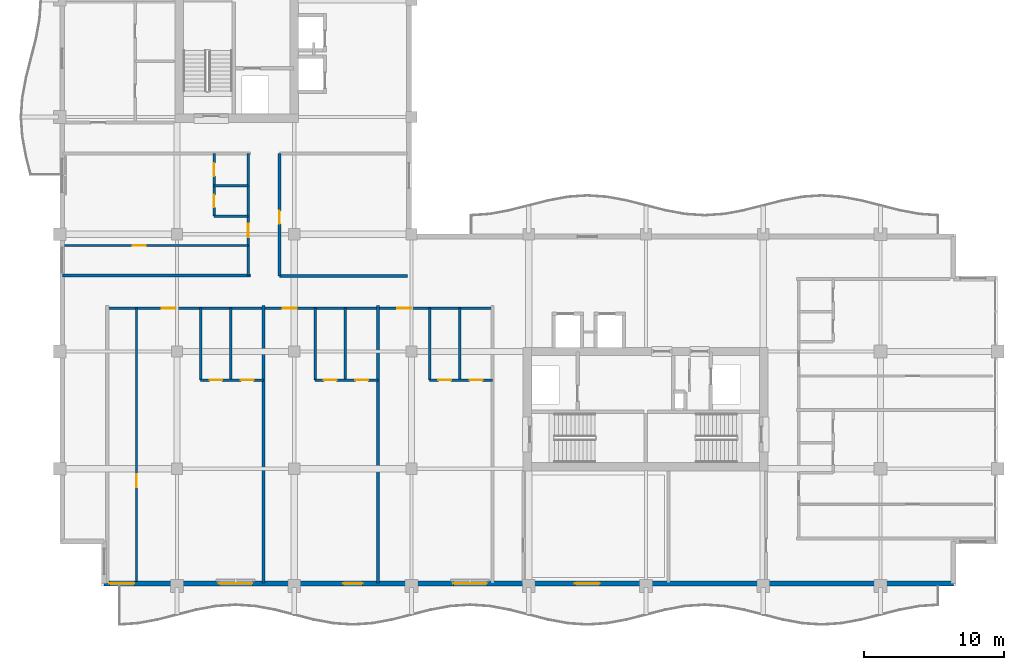
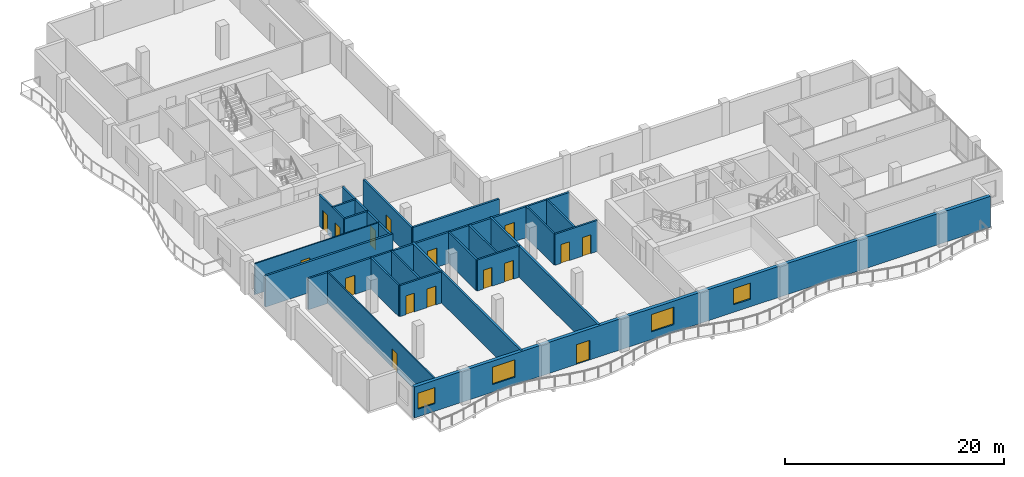
# One storey, part 6 of 16: 22 walls, 16 doors, 4 windows, 20 openings.
"""IFC4 building model written with IfcOpenShell, lengths in metres."""

from ifc_helpers import new_model, si_unit, direction, frame, frame_2d, origin, place, context, subcontext, project, spatial, rectangle, extrude, material, layer, layer_set, type_object, element, fill, save


model = new_model("IFC4")

# Units and contexts
model_context = context("Model", 3, precision=1e-05, world=origin(), true_north=direction((0.0, 1.0)))
body_context = subcontext(model_context, "Body", "Model", "MODEL_VIEW")
ifc_project = project(units=[si_unit("LENGTHUNIT", "METRE"), si_unit("AREAUNIT", "SQUARE_METRE"), si_unit("VOLUMEUNIT", "CUBIC_METRE"), si_unit("PLANEANGLEUNIT", "RADIAN"), si_unit("MASSUNIT", "GRAM", prefix="KILO")], contexts=[model_context])

# Site, building, storey
site_placement = place(None, origin())
site = spatial("IfcSite", under=ifc_project, at=site_placement, CompositionType="ELEMENT")
building_placement = place(site_placement, origin())
building = spatial("IfcBuilding", under=site, at=building_placement, Name="Koriwani Terraces Tower", CompositionType="ELEMENT")
storey_placement = place(building_placement, frame((0.0, 0.0, 245.300048828125)))
storey = spatial("IfcBuildingStorey", under=building, at=storey_placement, Name="L60", CompositionType="ELEMENT", Elevation=245.300048828125)

# Wall, opening, door
ifc_material_1 = material(Name="Autoclaved Cellular Concrete Blockwork", Category="masonry")
ifc_layer_1 = layer(ifc_material_1, 0.199951171875, Name="Autoclaved Cellular Concrete Blockwork")
ifc_layer_set_1 = layer_set([ifc_layer_1], Name="Autoclaved Cellular Concrete Blockwork")
wall_type_1 = type_object("IfcWallType", Name="WALL_CORRIDOR_200", PredefinedType="PARTITIONING", material=ifc_layer_set_1)
wall_1_placement = place(storey_placement, frame((24.14990234375, 30.60009765625, 0.0), z_axis=(0.0, 0.0, 1.0), x_axis=(0.0, 1.0, 0.0)))
wall_1 = element("IfcWall", 1, at=wall_1_placement, inside=storey, type_object=wall_type_1, Name="L60 Interior Wall WIC4W-L60", PredefinedType="PARTITIONING", context=body_context, shape_type="SweptSolid", body=[
    extrude(rectangle(XDim=8.7998046875, YDim=0.199951171875, at=frame_2d((4.39990234375, 0.0))), origin(), (0.0, 0.0, 1.0), 3.469970703125),
])
opening_1_placement = place(wall_1_placement, frame((3.75, 0.0, 0.0)))
opening_1 = element("IfcOpeningElement", 2, at=opening_1_placement, cuts=wall_1, Name="Opening D-06", PredefinedType="OPENING", context=body_context, shape_type="SweptSolid", body=[
    extrude(rectangle(XDim=0.919921875, YDim=2.10009765625, at=frame_2d((0.4599609375, 1.050048828125))), frame((0.0, 0.10986328125, 0.0), z_axis=(0.0, -1.0, 0.0), x_axis=(1.0, 0.0, 0.0)), (0.0, 0.0, 1.0), 0.219970703125),
])
ifc_material_2 = material(Name="Architectural Oak Fire Door", Category="wood")
door_type_1 = type_object("IfcDoorType", Name="DOOR_ROOM_INT_920X2100", OperationType="NOTDEFINED", PredefinedType="DOOR", material=ifc_material_2)
door_1_placement = place(opening_1_placement, origin())
door_1 = element("IfcDoor", 3, at=door_1_placement, inside=storey, type_object=door_type_1, Name="L60 High-Rise Court Study Door", OperationType="SINGLE_SWING_RIGHT", OverallHeight=2.10009765625, OverallWidth=0.919921875, PredefinedType="DOOR", context=body_context, shape_type="SweptSolid", body=[
    extrude(rectangle(XDim=0.919921875, YDim=2.10009765625, at=frame_2d((0.4599609375, 1.050048828125))), frame((0.0, 0.02490234375, 0.0), z_axis=(0.0, -1.0, 0.0), x_axis=(1.0, 0.0, 0.0)), (0.0, 0.0, 1.0), 0.050048828125),
])
fill(opening_1, door_1)

# Wall, openings, doors
wall_2_placement = place(storey_placement, frame((11.800048828125, 28.300048828125, 0.0), z_axis=(0.0, 0.0, 1.0), x_axis=(1.0, 0.0, 0.0)))
wall_2 = element("IfcWall", 4, at=wall_2_placement, inside=storey, type_object=wall_type_1, Name="L60 Interior Wall WRCOR-L60-SW-0", PredefinedType="PARTITIONING", context=body_context, shape_type="SweptSolid", body=[
    extrude(rectangle(XDim=27.599853515625, YDim=0.199951171875, at=frame_2d((13.7998046875, 0.0))), origin(), (0.0, 0.0, 1.0), 3.469970703125),
])
opening_2_placement = place(wall_2_placement, frame((3.919921875, 0.0, 0.0)))
opening_2 = element("IfcOpeningElement", 5, at=opening_2_placement, cuts=wall_2, Name="Opening D-05", PredefinedType="OPENING", context=body_context, shape_type="SweptSolid", body=[
    extrude(rectangle(XDim=1.0, YDim=2.14990234375, at=frame_2d((0.5, 1.074951171875))), frame((0.0, 0.10986328125, 0.0), z_axis=(0.0, -1.0, 0.0), x_axis=(1.0, 0.0, 0.0)), (0.0, 0.0, 1.0), 0.219970703125),
])
opening_3_placement = place(wall_2_placement, frame((12.570068359375, 0.0, 0.0)))
opening_3 = element("IfcOpeningElement", 6, at=opening_3_placement, cuts=wall_2, Name="Opening D-05", PredefinedType="OPENING", context=body_context, shape_type="SweptSolid", body=[
    extrude(rectangle(XDim=1.0, YDim=2.14990234375, at=frame_2d((0.5, 1.074951171875))), frame((0.0, 0.10986328125, 0.0), z_axis=(0.0, -1.0, 0.0), x_axis=(1.0, 0.0, 0.0)), (0.0, 0.0, 1.0), 0.219970703125),
])
opening_4_placement = place(wall_2_placement, frame((20.77001953125, 0.0, 0.0)))
opening_4 = element("IfcOpeningElement", 7, at=opening_4_placement, cuts=wall_2, Name="Opening D-05", PredefinedType="OPENING", context=body_context, shape_type="SweptSolid", body=[
    extrude(rectangle(XDim=1.0, YDim=2.14990234375, at=frame_2d((0.5, 1.074951171875))), frame((0.0, 0.10986328125, 0.0), z_axis=(0.0, -1.0, 0.0), x_axis=(1.0, 0.0, 0.0)), (0.0, 0.0, 1.0), 0.219970703125),
])
door_type_2 = type_object("IfcDoorType", Name="DOOR_SUITE_ENTRY_1000X2150", OperationType="NOTDEFINED", PredefinedType="DOOR", material=ifc_material_2)
door_2_placement = place(opening_2_placement, origin())
door_2 = element("IfcDoor", 8, at=door_2_placement, inside=storey, type_object=door_type_2, Name="Apartment 60SW1 Entrance Door", OperationType="SINGLE_SWING_LEFT", OverallHeight=2.14990234375, OverallWidth=1.0, PredefinedType="DOOR", context=body_context, shape_type="SweptSolid", body=[
    extrude(rectangle(XDim=1.0, YDim=2.14990234375, at=frame_2d((0.5, 1.074951171875))), frame((0.0, 0.02490234375, 0.0), z_axis=(0.0, -1.0, 0.0), x_axis=(1.0, 0.0, 0.0)), (0.0, 0.0, 1.0), 0.050048828125),
])
fill(opening_2, door_2)
door_3_placement = place(opening_3_placement, origin())
door_3 = element("IfcDoor", 9, at=door_3_placement, inside=storey, type_object=door_type_2, Name="Apartment 60SW2 Entrance Door", OperationType="SINGLE_SWING_LEFT", OverallHeight=2.14990234375, OverallWidth=1.0, PredefinedType="DOOR", context=body_context, shape_type="SweptSolid", body=[
    extrude(rectangle(XDim=1.0, YDim=2.14990234375, at=frame_2d((0.5, 1.074951171875))), frame((0.0, 0.02490234375, 0.0), z_axis=(0.0, -1.0, 0.0), x_axis=(1.0, 0.0, 0.0)), (0.0, 0.0, 1.0), 0.050048828125),
])
fill(opening_3, door_3)
door_4_placement = place(opening_4_placement, origin())
door_4 = element("IfcDoor", 10, at=door_4_placement, inside=storey, type_object=door_type_2, Name="Apartment 60SW3 Entrance Door", OperationType="SINGLE_SWING_RIGHT", OverallHeight=2.14990234375, OverallWidth=1.0, PredefinedType="DOOR", context=body_context, shape_type="SweptSolid", body=[
    extrude(rectangle(XDim=1.0, YDim=2.14990234375, at=frame_2d((0.5, 1.074951171875))), frame((0.0, 0.02490234375, 0.0), z_axis=(0.0, -1.0, 0.0), x_axis=(1.0, 0.0, 0.0)), (0.0, 0.0, 1.0), 0.050048828125),
])
fill(opening_4, door_4)

# Wall, opening, door
wall_3_placement = place(storey_placement, frame((21.89990234375, 30.64990234375, 0.0), z_axis=(0.0, 0.0, 1.0), x_axis=(0.0, 1.0, 0.0)))
wall_3 = element("IfcWall", 11, at=wall_3_placement, inside=storey, type_object=wall_type_1, Name="L60 Interior Wall WRCOR-L60-NE-0", PredefinedType="PARTITIONING", context=body_context, shape_type="SweptSolid", body=[
    extrude(rectangle(XDim=8.75, YDim=0.199951171875, at=frame_2d((4.375, 0.0))), origin(), (0.0, 0.0, 1.0), 3.469970703125),
])
opening_5_placement = place(wall_3_placement, frame((2.719970703125, 0.0, 0.0)))
opening_5 = element("IfcOpeningElement", 12, at=opening_5_placement, cuts=wall_3, Name="Opening D-05", PredefinedType="OPENING", context=body_context, shape_type="SweptSolid", body=[
    extrude(rectangle(XDim=1.0, YDim=2.14990234375, at=frame_2d((0.5, 1.074951171875))), frame((0.0, 0.10986328125, 0.0), z_axis=(0.0, -1.0, 0.0), x_axis=(1.0, 0.0, 0.0)), (0.0, 0.0, 1.0), 0.219970703125),
])
door_5_placement = place(opening_5_placement, origin())
door_5 = element("IfcDoor", 13, at=door_5_placement, inside=storey, type_object=door_type_2, Name="Apartment 60NE1 Entrance Door", OperationType="SINGLE_SWING_LEFT", OverallHeight=2.14990234375, OverallWidth=1.0, PredefinedType="DOOR", context=body_context, shape_type="SweptSolid", body=[
    extrude(rectangle(XDim=1.0, YDim=2.14990234375, at=frame_2d((0.5, 1.074951171875))), frame((0.0, 0.02490234375, 0.0), z_axis=(0.0, -1.0, 0.0), x_axis=(1.0, 0.0, 0.0)), (0.0, 0.0, 1.0), 0.050048828125),
])
fill(opening_5, door_5)

# Walls
ifc_layer_2 = layer(ifc_material_1, 0.219970703125, Name="Autoclaved Cellular Concrete Blockwork")
ifc_layer_set_2 = layer_set([ifc_layer_2], Name="Autoclaved Cellular Concrete Blockwork")
wall_type_2 = type_object("IfcWallType", Name="WALL_DEMISING_220", PredefinedType="PARTITIONING", material=ifc_layer_set_2)
wall_4_placement = place(storey_placement, frame((24.14990234375, 30.60009765625, 0.0), z_axis=(0.0, 0.0, 1.0), x_axis=(1.0, 0.0, 0.0)))
element("IfcWall", 14, at=wall_4_placement, inside=storey, type_object=wall_type_2, Name="L60 Interior Wall WIC4WS-L60", PredefinedType="PARTITIONING", context=body_context, shape_type="SweptSolid", body=[
    extrude(rectangle(XDim=9.150146484375, YDim=0.219970703125, at=frame_2d((4.5751953125, 0.0))), origin(), (0.0, 0.0, 1.0), 3.469970703125),
])
for number, where, z_axis, x_axis, name in (
    (15, (23.0, 8.60009765625, 0.0), (0.0, 0.0, 1.0), (0.0, 1.0, 0.0), "L60 Interior Wall WRDEM-L60-SW-1"),
    (16, (31.199951171875, 8.60009765625, 0.0), (0.0, 0.0, 1.0), (0.0, 1.0, 0.0), "L60 Interior Wall WRDEM-L60-SW-2"),
):
    element("IfcWall", number, at=place(storey_placement, frame(where, z_axis=z_axis, x_axis=x_axis)), inside=storey, type_object=wall_type_2, Name=name, PredefinedType="PARTITIONING", context=body_context, shape_type="SweptSolid", body=[
        extrude(rectangle(XDim=19.8798828125, YDim=0.219970703125, at=frame_2d((9.93994140625, 0.0))), origin(), (0.0, 0.0, 1.0), 3.469970703125),
    ])
wall_5_placement = place(storey_placement, frame((8.60009765625, 30.64990234375, 0.0), z_axis=(0.0, 0.0, 1.0), x_axis=(1.0, 0.0, 0.0)))
element("IfcWall", 17, at=wall_5_placement, inside=storey, type_object=wall_type_2, Name="L60 Interior Wall WRDEM-L60-NE-0", PredefinedType="PARTITIONING", context=body_context, shape_type="SweptSolid", body=[
    extrude(rectangle(XDim=13.47998046875, YDim=0.219970703125, at=frame_2d((6.739990234375, 0.0))), origin(), (0.0, 0.0, 1.0), 3.469970703125),
])

# Wall, openings, door, windows
ifc_material_3 = material(Name="Concrete C50/60", Category="concrete")
ifc_layer_3 = layer(ifc_material_3, 0.35009765625, Name="Concrete C50/60")
ifc_layer_set_3 = layer_set([ifc_layer_3], Name="Concrete C50/60")
wall_type_3 = type_object("IfcWallType", Name="WALL_EXT_BRUTALIST_350", PredefinedType="STANDARD", material=ifc_layer_set_3)
wall_6_placement = place(storey_placement, frame((72.425048828125, 8.574951171875, 0.0), z_axis=(0.0, 0.0, 1.0), x_axis=(-1.0, 0.0, 0.0)))
wall_6 = element("IfcWall", 18, at=wall_6_placement, inside=storey, type_object=wall_type_3, Name="L60 Fair-Faced Brutalist Exterior Wall (S)", PredefinedType="STANDARD", context=body_context, shape_type="SweptSolid", body=[
    extrude(rectangle(XDim=60.85009765625, YDim=0.35009765625, at=frame_2d((30.425048828125, 0.0))), origin(), (0.0, 0.0, 1.0), 3.469970703125),
])
opening_6_placement = place(wall_6_placement, frame((42.324951171875, 0.0, 0.0)))
opening_6 = element("IfcOpeningElement", 19, at=opening_6_placement, cuts=wall_6, Name="Opening D-09", PredefinedType="OPENING", context=body_context, shape_type="SweptSolid", body=[
    extrude(rectangle(XDim=1.39990234375, YDim=2.199951171875, at=frame_2d((0.699951171875, 1.10009765625))), frame((0.0, 0.18505859375, 0.0), z_axis=(0.0, -1.0, 0.0), x_axis=(1.0, 0.0, 0.0)), (0.0, 0.0, 1.0), 0.3701171875),
])
opening_7_placement = place(wall_6_placement, frame((50.22509765625, 0.0, 0.85009765625)))
opening_7 = element("IfcOpeningElement", 20, at=opening_7_placement, cuts=wall_6, Name="Opening W-03", PredefinedType="OPENING", context=body_context, shape_type="SweptSolid", body=[
    extrude(rectangle(XDim=2.39990234375, YDim=1.949951171875, at=frame_2d((1.199951171875, 0.97509765625))), frame((0.0, 0.18505859375, 0.0), z_axis=(0.0, -1.0, 0.0), x_axis=(1.0, 0.0, 0.0)), (0.0, 0.0, 1.0), 0.3701171875),
])
opening_8_placement = place(wall_6_placement, frame((33.425048828125, 0.0, 0.85009765625)))
opening_8 = element("IfcOpeningElement", 21, at=opening_8_placement, cuts=wall_6, Name="Opening W-03", PredefinedType="OPENING", context=body_context, shape_type="SweptSolid", body=[
    extrude(rectangle(XDim=2.39990234375, YDim=1.949951171875, at=frame_2d((1.199951171875, 0.97509765625))), frame((0.0, 0.18505859375, 0.0), z_axis=(0.0, -1.0, 0.0), x_axis=(1.0, 0.0, 0.0)), (0.0, 0.0, 1.0), 0.3701171875),
])
opening_9_placement = place(wall_6_placement, frame((25.324951171875, 0.0, 0.85009765625)))
opening_9 = element("IfcOpeningElement", 22, at=opening_9_placement, cuts=wall_6, Name="Opening W-04", PredefinedType="OPENING", context=body_context, shape_type="SweptSolid", body=[
    extrude(rectangle(XDim=1.800048828125, YDim=1.800048828125, at=frame_2d((0.89990234375, 0.89990234375))), frame((0.0, 0.18505859375, 0.0), z_axis=(0.0, -1.0, 0.0), x_axis=(1.0, 0.0, 0.0)), (0.0, 0.0, 1.0), 0.3701171875),
])
opening_10_placement = place(wall_6_placement, frame((58.675048828125, 0.0, 0.85009765625)))
opening_10 = element("IfcOpeningElement", 23, at=opening_10_placement, cuts=wall_6, Name="Opening W-04", PredefinedType="OPENING", context=body_context, shape_type="SweptSolid", body=[
    extrude(rectangle(XDim=1.800048828125, YDim=1.800048828125, at=frame_2d((0.89990234375, 0.89990234375))), frame((0.0, 0.18505859375, 0.0), z_axis=(0.0, -1.0, 0.0), x_axis=(1.0, 0.0, 0.0)), (0.0, 0.0, 1.0), 0.3701171875),
])
ifc_material_4 = material(Name="Anodised Bronze Aluminium", Category="aluminium")
door_type_3 = type_object("IfcDoorType", Name="DOOR_BALCONY_GLAZED_1400X2200", OperationType="NOTDEFINED", PredefinedType="DOOR", material=ifc_material_4)
door_6_placement = place(opening_6_placement, origin())
door_6 = element("IfcDoor", 24, at=door_6_placement, inside=storey, type_object=door_type_3, Name="L60 South Balcony Glazed Door", OperationType="SINGLE_SWING_LEFT", OverallHeight=2.199951171875, OverallWidth=1.39990234375, PredefinedType="DOOR", context=body_context, shape_type="SweptSolid", body=[
    extrude(rectangle(XDim=1.39990234375, YDim=2.199951171875, at=frame_2d((0.699951171875, 1.10009765625))), frame((0.0, 0.02490234375, 0.0), z_axis=(0.0, -1.0, 0.0), x_axis=(1.0, 0.0, 0.0)), (0.0, 0.0, 1.0), 0.050048828125),
])
fill(opening_6, door_6)
ifc_material_5 = material(Name="Tempered Laminated Low-E Glass", Category="glass")
window_type_1 = type_object("IfcWindowType", Name="WIN_RES_BED_1800X1800", PartitioningType="DOUBLE_PANEL_VERTICAL", PredefinedType="WINDOW", material=ifc_material_5)
window_1_placement = place(opening_9_placement, origin())
window_1 = element("IfcWindow", 25, at=window_1_placement, inside=storey, type_object=window_type_1, Name="L60 Exterior Window (S-12)", OverallHeight=1.800048828125, OverallWidth=1.800048828125, PartitioningType="SINGLE_PANEL", PredefinedType="WINDOW", context=body_context, shape_type="SweptSolid", body=[
    extrude(rectangle(XDim=1.800048828125, YDim=1.800048828125, at=frame_2d((0.89990234375, 0.89990234375))), frame((0.0, 0.030029296875, 0.0), z_axis=(0.0, -1.0, 0.0), x_axis=(1.0, 0.0, 0.0)), (0.0, 0.0, 1.0), 0.06005859375),
])
fill(opening_9, window_1)
window_2_placement = place(opening_10_placement, origin())
window_2 = element("IfcWindow", 26, at=window_2_placement, inside=storey, type_object=window_type_1, Name="L60 Exterior Window (S-R32)", OverallHeight=1.800048828125, OverallWidth=1.800048828125, PartitioningType="SINGLE_PANEL", PredefinedType="WINDOW", context=body_context, shape_type="SweptSolid", body=[
    extrude(rectangle(XDim=1.800048828125, YDim=1.800048828125, at=frame_2d((0.89990234375, 0.89990234375))), frame((0.0, 0.030029296875, 0.0), z_axis=(0.0, -1.0, 0.0), x_axis=(1.0, 0.0, 0.0)), (0.0, 0.0, 1.0), 0.06005859375),
])
fill(opening_10, window_2)
window_type_2 = type_object("IfcWindowType", Name="WIN_RES_LIVING_2400X1950", PartitioningType="DOUBLE_PANEL_VERTICAL", PredefinedType="WINDOW", material=ifc_material_5)
window_3_placement = place(opening_7_placement, origin())
window_3 = element("IfcWindow", 27, at=window_3_placement, inside=storey, type_object=window_type_2, Name="L60 Exterior Window (S-3)", OverallHeight=1.949951171875, OverallWidth=2.39990234375, PartitioningType="SINGLE_PANEL", PredefinedType="WINDOW", context=body_context, shape_type="SweptSolid", body=[
    extrude(rectangle(XDim=2.39990234375, YDim=1.949951171875, at=frame_2d((1.199951171875, 0.97509765625))), frame((0.0, 0.030029296875, 0.0), z_axis=(0.0, -1.0, 0.0), x_axis=(1.0, 0.0, 0.0)), (0.0, 0.0, 1.0), 0.06005859375),
])
fill(opening_7, window_3)
window_4_placement = place(opening_8_placement, origin())
window_4 = element("IfcWindow", 28, at=window_4_placement, inside=storey, type_object=window_type_2, Name="L60 Exterior Window (S-9)", OverallHeight=1.949951171875, OverallWidth=2.39990234375, PartitioningType="SINGLE_PANEL", PredefinedType="WINDOW", context=body_context, shape_type="SweptSolid", body=[
    extrude(rectangle(XDim=2.39990234375, YDim=1.949951171875, at=frame_2d((1.199951171875, 0.97509765625))), frame((0.0, 0.030029296875, 0.0), z_axis=(0.0, -1.0, 0.0), x_axis=(1.0, 0.0, 0.0)), (0.0, 0.0, 1.0), 0.06005859375),
])
fill(opening_8, window_4)

# Wall, opening, door
ifc_material_6 = material(Name="Fire-Rated Acoustic Gypsum Partition", Category="masonry")
ifc_layer_4 = layer(ifc_material_6, 0.125, Name="Fire-Rated Acoustic Gypsum Partition")
ifc_layer_set_4 = layer_set([ifc_layer_4], Name="Fire-Rated Acoustic Gypsum Partition")
wall_type_4 = type_object("IfcWallType", Name="WALL_INT_125", PredefinedType="PARTITIONING", material=ifc_layer_set_4)
wall_7_placement = place(storey_placement, frame((13.89990234375, 8.75, 0.0), z_axis=(0.0, 0.0, 1.0), x_axis=(0.0, 1.0, 0.0)))
wall_7 = element("IfcWall", 29, at=wall_7_placement, inside=storey, type_object=wall_type_4, Name="L60 Interior Wall WRBED1-L60-SW-0", PredefinedType="PARTITIONING", context=body_context, shape_type="SweptSolid", body=[
    extrude(rectangle(XDim=19.550048828125, YDim=0.125, at=frame_2d((9.77490234375, 0.0))), origin(), (0.0, 0.0, 1.0), 3.469970703125),
])
opening_11_placement = place(wall_7_placement, frame((6.739990234375, 0.0, 0.0)))
opening_11 = element("IfcOpeningElement", 30, at=opening_11_placement, cuts=wall_7, Name="Opening D-06", PredefinedType="OPENING", context=body_context, shape_type="SweptSolid", body=[
    extrude(rectangle(XDim=0.919921875, YDim=2.10009765625, at=frame_2d((0.4599609375, 1.050048828125))), frame((0.0, 0.072509765625, 0.0), z_axis=(0.0, -1.0, 0.0), x_axis=(1.0, 0.0, 0.0)), (0.0, 0.0, 1.0), 0.14501953125),
])
door_7_placement = place(opening_11_placement, origin())
door_7 = element("IfcDoor", 31, at=door_7_placement, inside=storey, type_object=door_type_1, Name="Apartment 60SW1 Master Bedroom Door", OperationType="SINGLE_SWING_RIGHT", OverallHeight=2.10009765625, OverallWidth=0.919921875, PredefinedType="DOOR", context=body_context, shape_type="SweptSolid", body=[
    extrude(rectangle(XDim=0.919921875, YDim=2.10009765625, at=frame_2d((0.4599609375, 1.050048828125))), frame((0.0, 0.02490234375, 0.0), z_axis=(0.0, -1.0, 0.0), x_axis=(1.0, 0.0, 0.0)), (0.0, 0.0, 1.0), 0.050048828125),
])
fill(opening_11, door_7)

wall_8_placement = place(storey_placement, frame((8.75, 32.800048828125, 0.0), z_axis=(0.0, 0.0, 1.0), x_axis=(1.0, 0.0, 0.0)))
wall_8 = element("IfcWall", 32, at=wall_8_placement, inside=storey, type_object=wall_type_4, Name="L60 Interior Wall WRBED1-L60-NE-0", PredefinedType="PARTITIONING", context=body_context, shape_type="SweptSolid", body=[
    extrude(rectangle(XDim=13.14990234375, YDim=0.125, at=frame_2d((6.574951171875, 0.0))), origin(), (0.0, 0.0, 1.0), 3.469970703125),
])
opening_12_placement = place(wall_8_placement, frame((4.889892578125, 0.0, 0.0)))
opening_12 = element("IfcOpeningElement", 33, at=opening_12_placement, cuts=wall_8, Name="Opening D-06", PredefinedType="OPENING", context=body_context, shape_type="SweptSolid", body=[
    extrude(rectangle(XDim=0.919921875, YDim=2.10009765625, at=frame_2d((0.4599609375, 1.050048828125))), frame((0.0, 0.072509765625, 0.0), z_axis=(0.0, -1.0, 0.0), x_axis=(1.0, 0.0, 0.0)), (0.0, 0.0, 1.0), 0.14501953125),
])
door_8_placement = place(opening_12_placement, origin())
door_8 = element("IfcDoor", 34, at=door_8_placement, inside=storey, type_object=door_type_1, Name="Apartment 60NE1 Master Bedroom Door", OperationType="SINGLE_SWING_RIGHT", OverallHeight=2.10009765625, OverallWidth=0.919921875, PredefinedType="DOOR", context=body_context, shape_type="SweptSolid", body=[
    extrude(rectangle(XDim=0.919921875, YDim=2.10009765625, at=frame_2d((0.4599609375, 1.050048828125))), frame((0.0, 0.02490234375, 0.0), z_axis=(0.0, -1.0, 0.0), x_axis=(1.0, 0.0, 0.0)), (0.0, 0.0, 1.0), 0.050048828125),
])
fill(opening_12, door_8)

# Wall, openings, doors
ifc_layer_5 = layer(ifc_material_6, 0.179931640625, Name="Fire-Rated Acoustic Gypsum Partition")
ifc_layer_set_5 = layer_set([ifc_layer_5], Name="Fire-Rated Acoustic Gypsum Partition")
wall_type_5 = type_object("IfcWallType", Name="WALL_PLUMBING_180", PredefinedType="PLUMBINGWALL", material=ifc_layer_set_5)
wall_9_placement = place(storey_placement, frame((18.5, 23.14990234375, 0.0), z_axis=(0.0, 0.0, 1.0), x_axis=(1.0, 0.0, 0.0)))
wall_9 = element("IfcWall", 35, at=wall_9_placement, inside=storey, type_object=wall_type_5, Name="L60 Interior Wall WRSVC-L60-SW-0", PredefinedType="PLUMBINGWALL", context=body_context, shape_type="SweptSolid", body=[
    extrude(rectangle(XDim=4.5, YDim=0.179931640625, at=frame_2d((2.25, 0.0))), origin(), (0.0, 0.0, 1.0), 3.469970703125),
])
opening_13_placement = place(wall_9_placement, frame((0.6298828125, 0.0, 0.0)))
opening_13 = element("IfcOpeningElement", 36, at=opening_13_placement, cuts=wall_9, Name="Opening D-07", PredefinedType="OPENING", context=body_context, shape_type="SweptSolid", body=[
    extrude(rectangle(XDim=0.89990234375, YDim=2.10009765625, at=frame_2d((0.449951171875, 1.050048828125))), frame((0.0, 0.10009765625, 0.0), z_axis=(0.0, -1.0, 0.0), x_axis=(1.0, 0.0, 0.0)), (0.0, 0.0, 1.0), 0.199951171875),
])
opening_14_placement = place(wall_9_placement, frame((2.8701171875, 0.0, 0.0)))
opening_14 = element("IfcOpeningElement", 37, at=opening_14_placement, cuts=wall_9, Name="Opening D-06", PredefinedType="OPENING", context=body_context, shape_type="SweptSolid", body=[
    extrude(rectangle(XDim=0.919921875, YDim=2.10009765625, at=frame_2d((0.4599609375, 1.050048828125))), frame((0.0, 0.10009765625, 0.0), z_axis=(0.0, -1.0, 0.0), x_axis=(1.0, 0.0, 0.0)), (0.0, 0.0, 1.0), 0.199951171875),
])
door_type_4 = type_object("IfcDoorType", Name="DOOR_BATH_INT_900X2100", OperationType="NOTDEFINED", PredefinedType="DOOR", material=ifc_material_2)
door_9_placement = place(opening_13_placement, origin())
door_9 = element("IfcDoor", 38, at=door_9_placement, inside=storey, type_object=door_type_4, Name="Apartment 60SW1 Bathroom Door", OperationType="SINGLE_SWING_RIGHT", OverallHeight=2.10009765625, OverallWidth=0.89990234375, PredefinedType="DOOR", context=body_context, shape_type="SweptSolid", body=[
    extrude(rectangle(XDim=0.89990234375, YDim=2.10009765625, at=frame_2d((0.449951171875, 1.050048828125))), frame((0.0, 0.02490234375, 0.0), z_axis=(0.0, -1.0, 0.0), x_axis=(1.0, 0.0, 0.0)), (0.0, 0.0, 1.0), 0.050048828125),
])
fill(opening_13, door_9)
door_10_placement = place(opening_14_placement, origin())
door_10 = element("IfcDoor", 39, at=door_10_placement, inside=storey, type_object=door_type_1, Name="Apartment 60SW1 Kitchen Door", OperationType="SINGLE_SWING_LEFT", OverallHeight=2.10009765625, OverallWidth=0.919921875, PredefinedType="DOOR", context=body_context, shape_type="SweptSolid", body=[
    extrude(rectangle(XDim=0.919921875, YDim=2.10009765625, at=frame_2d((0.4599609375, 1.050048828125))), frame((0.0, 0.02490234375, 0.0), z_axis=(0.0, -1.0, 0.0), x_axis=(1.0, 0.0, 0.0)), (0.0, 0.0, 1.0), 0.050048828125),
])
fill(opening_14, door_10)

# Walls
for number, where, z_axis, x_axis, name in (
    (40, (18.5, 23.14990234375, 0.0), (0.0, 0.0, 1.0), (0.0, 1.0, 0.0), "L60 Interior Wall WRSVCS-L60-SW-0"),
    (41, (20.659912109375, 23.14990234375, 0.0), (0.0, 0.0, 1.0), (0.0, 1.0, 0.0), "L60 Interior Wall WRSVCM-L60-SW-0"),
):
    element("IfcWall", number, at=place(storey_placement, frame(where, z_axis=z_axis, x_axis=x_axis)), inside=storey, type_object=wall_type_5, Name=name, PredefinedType="PLUMBINGWALL", context=body_context, shape_type="SweptSolid", body=[
        extrude(rectangle(XDim=5.150146484375, YDim=0.179931640625, at=frame_2d((2.5751953125, 0.0))), origin(), (0.0, 0.0, 1.0), 3.469970703125),
    ])

# Wall, openings, doors
wall_10_placement = place(storey_placement, frame((26.699951171875, 23.14990234375, 0.0), z_axis=(0.0, 0.0, 1.0), x_axis=(1.0, 0.0, 0.0)))
wall_10 = element("IfcWall", 42, at=wall_10_placement, inside=storey, type_object=wall_type_5, Name="L60 Interior Wall WRSVC-L60-SW-1", PredefinedType="PLUMBINGWALL", context=body_context, shape_type="SweptSolid", body=[
    extrude(rectangle(XDim=4.5, YDim=0.179931640625, at=frame_2d((2.25, 0.0))), origin(), (0.0, 0.0, 1.0), 3.469970703125),
])
opening_15_placement = place(wall_10_placement, frame((0.6298828125, 0.0, 0.0)))
opening_15 = element("IfcOpeningElement", 43, at=opening_15_placement, cuts=wall_10, Name="Opening D-07", PredefinedType="OPENING", context=body_context, shape_type="SweptSolid", body=[
    extrude(rectangle(XDim=0.89990234375, YDim=2.10009765625, at=frame_2d((0.449951171875, 1.050048828125))), frame((0.0, 0.10009765625, 0.0), z_axis=(0.0, -1.0, 0.0), x_axis=(1.0, 0.0, 0.0)), (0.0, 0.0, 1.0), 0.199951171875),
])
opening_16_placement = place(wall_10_placement, frame((2.8701171875, 0.0, 0.0)))
opening_16 = element("IfcOpeningElement", 44, at=opening_16_placement, cuts=wall_10, Name="Opening D-06", PredefinedType="OPENING", context=body_context, shape_type="SweptSolid", body=[
    extrude(rectangle(XDim=0.919921875, YDim=2.10009765625, at=frame_2d((0.4599609375, 1.050048828125))), frame((0.0, 0.10009765625, 0.0), z_axis=(0.0, -1.0, 0.0), x_axis=(1.0, 0.0, 0.0)), (0.0, 0.0, 1.0), 0.199951171875),
])
door_11_placement = place(opening_15_placement, origin())
door_11 = element("IfcDoor", 45, at=door_11_placement, inside=storey, type_object=door_type_4, Name="Apartment 60SW2 Bathroom Door", OperationType="SINGLE_SWING_RIGHT", OverallHeight=2.10009765625, OverallWidth=0.89990234375, PredefinedType="DOOR", context=body_context, shape_type="SweptSolid", body=[
    extrude(rectangle(XDim=0.89990234375, YDim=2.10009765625, at=frame_2d((0.449951171875, 1.050048828125))), frame((0.0, 0.02490234375, 0.0), z_axis=(0.0, -1.0, 0.0), x_axis=(1.0, 0.0, 0.0)), (0.0, 0.0, 1.0), 0.050048828125),
])
fill(opening_15, door_11)
door_12_placement = place(opening_16_placement, origin())
door_12 = element("IfcDoor", 46, at=door_12_placement, inside=storey, type_object=door_type_1, Name="Apartment 60SW2 Kitchen Door", OperationType="SINGLE_SWING_LEFT", OverallHeight=2.10009765625, OverallWidth=0.919921875, PredefinedType="DOOR", context=body_context, shape_type="SweptSolid", body=[
    extrude(rectangle(XDim=0.919921875, YDim=2.10009765625, at=frame_2d((0.4599609375, 1.050048828125))), frame((0.0, 0.02490234375, 0.0), z_axis=(0.0, -1.0, 0.0), x_axis=(1.0, 0.0, 0.0)), (0.0, 0.0, 1.0), 0.050048828125),
])
fill(opening_16, door_12)

# Walls
for number, where, z_axis, x_axis, name in (
    (47, (26.699951171875, 23.14990234375, 0.0), (0.0, 0.0, 1.0), (0.0, 1.0, 0.0), "L60 Interior Wall WRSVCS-L60-SW-1"),
    (48, (28.860107421875, 23.14990234375, 0.0), (0.0, 0.0, 1.0), (0.0, 1.0, 0.0), "L60 Interior Wall WRSVCM-L60-SW-1"),
):
    element("IfcWall", number, at=place(storey_placement, frame(where, z_axis=z_axis, x_axis=x_axis)), inside=storey, type_object=wall_type_5, Name=name, PredefinedType="PLUMBINGWALL", context=body_context, shape_type="SweptSolid", body=[
        extrude(rectangle(XDim=5.150146484375, YDim=0.179931640625, at=frame_2d((2.5751953125, 0.0))), origin(), (0.0, 0.0, 1.0), 3.469970703125),
    ])

# Wall, openings, doors
wall_11_placement = place(storey_placement, frame((34.89990234375, 23.14990234375, 0.0), z_axis=(0.0, 0.0, 1.0), x_axis=(1.0, 0.0, 0.0)))
wall_11 = element("IfcWall", 49, at=wall_11_placement, inside=storey, type_object=wall_type_5, Name="L60 Interior Wall WRSVC-L60-SW-2", PredefinedType="PLUMBINGWALL", context=body_context, shape_type="SweptSolid", body=[
    extrude(rectangle(XDim=4.5, YDim=0.179931640625, at=frame_2d((2.25, 0.0))), origin(), (0.0, 0.0, 1.0), 3.469970703125),
])
opening_17_placement = place(wall_11_placement, frame((0.6298828125, 0.0, 0.0)))
opening_17 = element("IfcOpeningElement", 50, at=opening_17_placement, cuts=wall_11, Name="Opening D-07", PredefinedType="OPENING", context=body_context, shape_type="SweptSolid", body=[
    extrude(rectangle(XDim=0.89990234375, YDim=2.10009765625, at=frame_2d((0.449951171875, 1.050048828125))), frame((0.0, 0.10009765625, 0.0), z_axis=(0.0, -1.0, 0.0), x_axis=(1.0, 0.0, 0.0)), (0.0, 0.0, 1.0), 0.199951171875),
])
opening_18_placement = place(wall_11_placement, frame((2.8701171875, 0.0, 0.0)))
opening_18 = element("IfcOpeningElement", 51, at=opening_18_placement, cuts=wall_11, Name="Opening D-06", PredefinedType="OPENING", context=body_context, shape_type="SweptSolid", body=[
    extrude(rectangle(XDim=0.919921875, YDim=2.10009765625, at=frame_2d((0.4599609375, 1.050048828125))), frame((0.0, 0.10009765625, 0.0), z_axis=(0.0, -1.0, 0.0), x_axis=(1.0, 0.0, 0.0)), (0.0, 0.0, 1.0), 0.199951171875),
])
door_13_placement = place(opening_17_placement, origin())
door_13 = element("IfcDoor", 52, at=door_13_placement, inside=storey, type_object=door_type_4, Name="Apartment 60SW3 Bathroom Door", OperationType="SINGLE_SWING_LEFT", OverallHeight=2.10009765625, OverallWidth=0.89990234375, PredefinedType="DOOR", context=body_context, shape_type="SweptSolid", body=[
    extrude(rectangle(XDim=0.89990234375, YDim=2.10009765625, at=frame_2d((0.449951171875, 1.050048828125))), frame((0.0, 0.02490234375, 0.0), z_axis=(0.0, -1.0, 0.0), x_axis=(1.0, 0.0, 0.0)), (0.0, 0.0, 1.0), 0.050048828125),
])
fill(opening_17, door_13)
door_14_placement = place(opening_18_placement, origin())
door_14 = element("IfcDoor", 53, at=door_14_placement, inside=storey, type_object=door_type_1, Name="Apartment 60SW3 Kitchen Door", OperationType="SINGLE_SWING_RIGHT", OverallHeight=2.10009765625, OverallWidth=0.919921875, PredefinedType="DOOR", context=body_context, shape_type="SweptSolid", body=[
    extrude(rectangle(XDim=0.919921875, YDim=2.10009765625, at=frame_2d((0.4599609375, 1.050048828125))), frame((0.0, 0.02490234375, 0.0), z_axis=(0.0, -1.0, 0.0), x_axis=(1.0, 0.0, 0.0)), (0.0, 0.0, 1.0), 0.050048828125),
])
fill(opening_18, door_14)

# Walls
for number, where, z_axis, x_axis, name in (
    (54, (34.89990234375, 23.14990234375, 0.0), (0.0, 0.0, 1.0), (0.0, 1.0, 0.0), "L60 Interior Wall WRSVCS-L60-SW-2"),
    (55, (37.06005859375, 23.14990234375, 0.0), (0.0, 0.0, 1.0), (0.0, 1.0, 0.0), "L60 Interior Wall WRSVCM-L60-SW-2"),
):
    element("IfcWall", number, at=place(storey_placement, frame(where, z_axis=z_axis, x_axis=x_axis)), inside=storey, type_object=wall_type_5, Name=name, PredefinedType="PLUMBINGWALL", context=body_context, shape_type="SweptSolid", body=[
        extrude(rectangle(XDim=5.150146484375, YDim=0.179931640625, at=frame_2d((2.5751953125, 0.0))), origin(), (0.0, 0.0, 1.0), 3.469970703125),
    ])

# Wall, openings, doors
wall_12_placement = place(storey_placement, frame((19.449951171875, 34.89990234375, 0.0), z_axis=(0.0, 0.0, 1.0), x_axis=(0.0, 1.0, 0.0)))
wall_12 = element("IfcWall", 56, at=wall_12_placement, inside=storey, type_object=wall_type_5, Name="L60 Interior Wall WRSVC-L60-NE-0", PredefinedType="PLUMBINGWALL", context=body_context, shape_type="SweptSolid", body=[
    extrude(rectangle(XDim=4.5, YDim=0.179931640625, at=frame_2d((2.25, 0.0))), origin(), (0.0, 0.0, 1.0), 3.469970703125),
])
opening_19_placement = place(wall_12_placement, frame((0.6298828125, 0.0, 0.0)))
opening_19 = element("IfcOpeningElement", 57, at=opening_19_placement, cuts=wall_12, Name="Opening D-07", PredefinedType="OPENING", context=body_context, shape_type="SweptSolid", body=[
    extrude(rectangle(XDim=0.89990234375, YDim=2.10009765625, at=frame_2d((0.449951171875, 1.050048828125))), frame((0.0, 0.10009765625, 0.0), z_axis=(0.0, -1.0, 0.0), x_axis=(1.0, 0.0, 0.0)), (0.0, 0.0, 1.0), 0.199951171875),
])
opening_20_placement = place(wall_12_placement, frame((2.8701171875, 0.0, 0.0)))
opening_20 = element("IfcOpeningElement", 58, at=opening_20_placement, cuts=wall_12, Name="Opening D-06", PredefinedType="OPENING", context=body_context, shape_type="SweptSolid", body=[
    extrude(rectangle(XDim=0.919921875, YDim=2.10009765625, at=frame_2d((0.4599609375, 1.050048828125))), frame((0.0, 0.10009765625, 0.0), z_axis=(0.0, -1.0, 0.0), x_axis=(1.0, 0.0, 0.0)), (0.0, 0.0, 1.0), 0.199951171875),
])
door_15_placement = place(opening_19_placement, origin())
door_15 = element("IfcDoor", 59, at=door_15_placement, inside=storey, type_object=door_type_4, Name="Apartment 60NE1 Bathroom Door", OperationType="SINGLE_SWING_RIGHT", OverallHeight=2.10009765625, OverallWidth=0.89990234375, PredefinedType="DOOR", context=body_context, shape_type="SweptSolid", body=[
    extrude(rectangle(XDim=0.89990234375, YDim=2.10009765625, at=frame_2d((0.449951171875, 1.050048828125))), frame((0.0, 0.02490234375, 0.0), z_axis=(0.0, -1.0, 0.0), x_axis=(1.0, 0.0, 0.0)), (0.0, 0.0, 1.0), 0.050048828125),
])
fill(opening_19, door_15)
door_16_placement = place(opening_20_placement, origin())
door_16 = element("IfcDoor", 60, at=door_16_placement, inside=storey, type_object=door_type_1, Name="Apartment 60NE1 Kitchen Door", OperationType="SINGLE_SWING_LEFT", OverallHeight=2.10009765625, OverallWidth=0.919921875, PredefinedType="DOOR", context=body_context, shape_type="SweptSolid", body=[
    extrude(rectangle(XDim=0.919921875, YDim=2.10009765625, at=frame_2d((0.4599609375, 1.050048828125))), frame((0.0, 0.02490234375, 0.0), z_axis=(0.0, -1.0, 0.0), x_axis=(1.0, 0.0, 0.0)), (0.0, 0.0, 1.0), 0.050048828125),
])
fill(opening_20, door_16)

# Walls
for number, where, z_axis, x_axis, name in (
    (61, (19.449951171875, 34.89990234375, 0.0), (0.0, 0.0, 1.0), (1.0, 0.0, 0.0), "L60 Interior Wall WRSVCS-L60-NE-0"),
    (62, (19.449951171875, 37.06005859375, 0.0), (0.0, 0.0, 1.0), (1.0, 0.0, 0.0), "L60 Interior Wall WRSVCM-L60-NE-0"),
):
    element("IfcWall", number, at=place(storey_placement, frame(where, z_axis=z_axis, x_axis=x_axis)), inside=storey, type_object=wall_type_5, Name=name, PredefinedType="PLUMBINGWALL", context=body_context, shape_type="SweptSolid", body=[
        extrude(rectangle(XDim=2.449951171875, YDim=0.179931640625, at=frame_2d((1.22509765625, 0.0))), origin(), (0.0, 0.0, 1.0), 3.469970703125),
    ])

save(model, "model.ifc")
